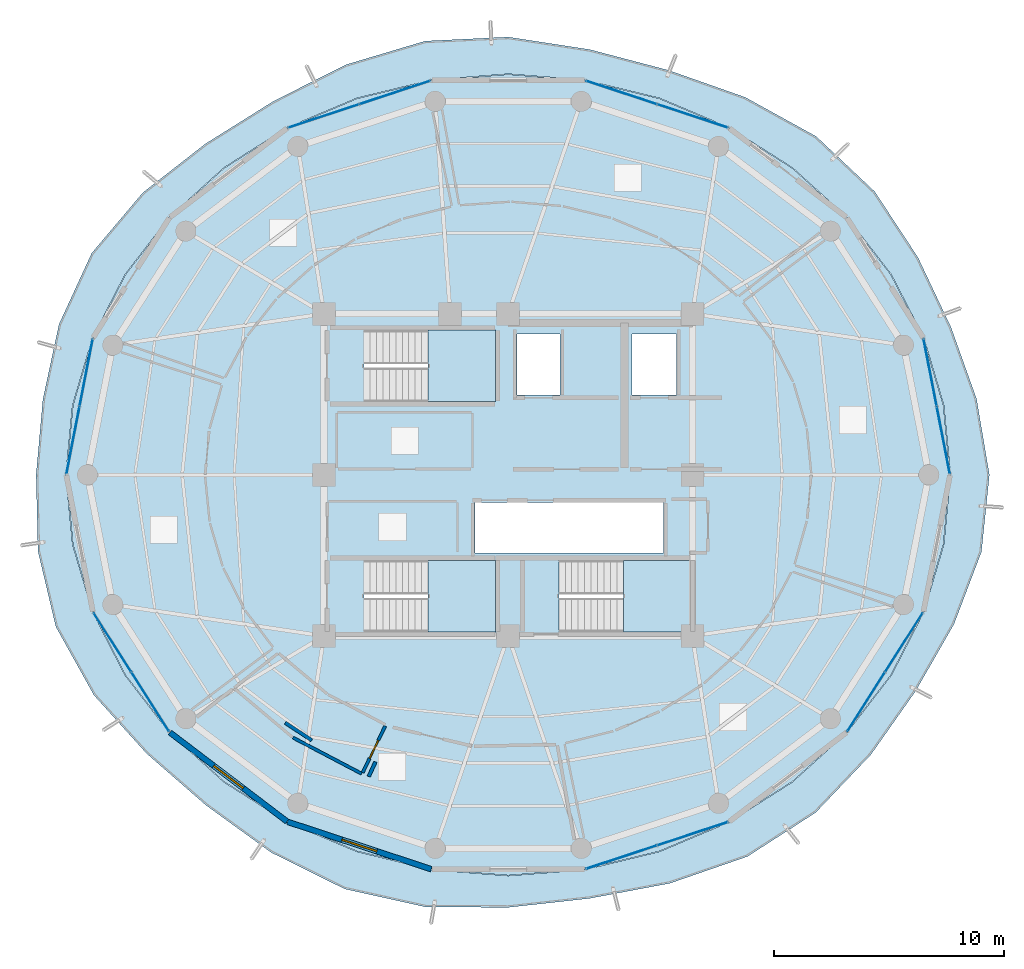
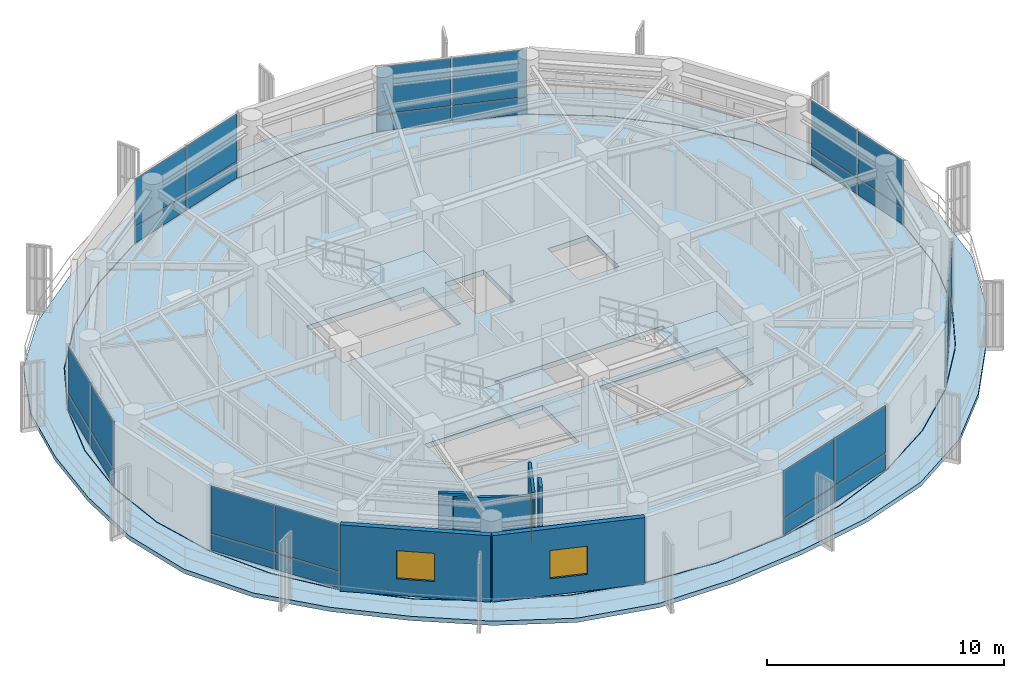
# One storey, part 15 of 23: 28 plates, 6 walls, 5 slabs, 2 windows, 1 door, 3 openings, 10 elements without a shape of their own.
"""IFC4 building model written with IfcOpenShell, lengths in metres."""

from ifc_helpers import new_model, si_unit, direction, frame, frame_2d, origin, origin_2d, place, context, subcontext, project, spatial, polyline, rectangle, outline, extrude, source, transform, mapped, material, layer, layer_set, type_object, element, fill, aggregate, save


model = new_model("IFC4")

# Units and contexts
model_context = context("Model", 3, precision=1e-05, world=origin(), true_north=direction((0.0, 1.0)))
body_context = subcontext(model_context, "Body", "Model", "MODEL_VIEW")
ifc_project = project(units=[si_unit("LENGTHUNIT", "METRE"), si_unit("AREAUNIT", "SQUARE_METRE"), si_unit("VOLUMEUNIT", "CUBIC_METRE"), si_unit("PLANEANGLEUNIT", "RADIAN"), si_unit("MASSUNIT", "GRAM", prefix="KILO")], contexts=[model_context])

# Site, building, storey
site_placement = place(None, origin())
site = spatial("IfcSite", under=ifc_project, at=site_placement, CompositionType="ELEMENT")
building_placement = place(site_placement, origin())
building = spatial("IfcBuilding", under=site, at=building_placement, Name="Kelanora Arch Commons", CompositionType="ELEMENT")
storey_placement = place(building_placement, frame((0.0, 0.0, 289.949951171875)))
storey = spatial("IfcBuildingStorey", under=building, at=storey_placement, Name="L74", CompositionType="ELEMENT", Elevation=289.949951171875)

# Stair, slab
ifc_material_1 = material(Name="Concrete C40/50", Category="concrete")
stair_type = type_object("IfcStairType", Name="STR-DL-375", PredefinedType="HALF_TURN_STAIR", material=ifc_material_1)
stair_1_placement = place(storey_placement, origin())
stair_1 = element("IfcStair", 1, at=stair_1_placement, inside=storey, type_object=stair_type, Name="L74 ST-T1", PredefinedType="HALF_TURN_STAIR")
ifc_layer_1 = layer(ifc_material_1, 0.199951171875)
ifc_layer_set_1 = layer_set([ifc_layer_1], Name="Concrete C40/50")
slab_type_1 = type_object("IfcSlabType", Name="SLB-STAIR-LND", PredefinedType="LANDING", material=ifc_layer_set_1)
slab_1_placement = place(storey_placement, frame((0.0, 0.0, 1.675048828125)))
slab_1 = element("IfcSlab", 2, at=slab_1_placement, type_object=slab_type_1, Name="ST-T1 landing 1", PredefinedType="LANDING", context=body_context, shape_type="SweptSolid", body=[
    extrude(outline(polyline([(70.52001953125, 61.179931640625), (73.43994140625, 61.179931640625), (73.43994140625, 64.2900390625), (70.52001953125, 64.2900390625), (70.52001953125, 61.179931640625)])), origin(), (0.0, 0.0, 1.0), 0.199951171875),
])
aggregate(stair_1, [slab_1])

stair_2_placement = place(storey_placement, origin())
stair_2 = element("IfcStair", 3, at=stair_2_placement, inside=storey, type_object=stair_type, Name="L74 ST-T2", PredefinedType="HALF_TURN_STAIR")
slab_2_placement = place(storey_placement, frame((0.0, 0.0, 1.675048828125)))
slab_2 = element("IfcSlab", 4, at=slab_2_placement, type_object=slab_type_1, Name="ST-T2 landing 1", PredefinedType="LANDING", context=body_context, shape_type="SweptSolid", body=[
    extrude(outline(polyline([(79.0, 51.179931640625), (81.919921875, 51.179931640625), (81.919921875, 54.2900390625), (79.0, 54.2900390625), (79.0, 51.179931640625)])), origin(), (0.0, 0.0, 1.0), 0.199951171875),
])
aggregate(stair_2, [slab_2])

stair_3_placement = place(storey_placement, origin())
stair_3 = element("IfcStair", 5, at=stair_3_placement, inside=storey, type_object=stair_type, Name="L74 ST-T3", PredefinedType="HALF_TURN_STAIR")
slab_3_placement = place(storey_placement, frame((0.0, 0.0, 1.675048828125)))
slab_3 = element("IfcSlab", 6, at=slab_3_placement, type_object=slab_type_1, Name="ST-T3 landing 1", PredefinedType="LANDING", context=body_context, shape_type="SweptSolid", body=[
    extrude(outline(polyline([(70.52001953125, 51.179931640625), (73.43994140625, 51.179931640625), (73.43994140625, 54.2900390625), (70.52001953125, 54.2900390625), (70.52001953125, 51.179931640625)])), origin(), (0.0, 0.0, 1.0), 0.199951171875),
])
aggregate(stair_3, [slab_3])

# Slabs
ifc_layer_2 = layer(ifc_material_1, 0.260009765625)
ifc_layer_set_2 = layer_set([ifc_layer_2], Name="Concrete C40/50")
slab_type_2 = type_object("IfcSlabType", Name="SLB-TWR-TYP", PredefinedType="FLOOR", material=ifc_layer_set_2)
slab_4_placement = place(storey_placement, frame((0.0, 0.0, -0.260009765625)))
element("IfcSlab", 7, at=slab_4_placement, inside=storey, type_object=slab_type_2, Name="Tower Floor Slab L74", PredefinedType="FLOOR", context=body_context, shape_type="SweptSolid", body=[
    extrude(outline(polyline([(93.199951171875, 58.0), (92.908203125, 61.021484375), (92.0419921875, 63.951171875), (90.627685546875, 66.699951171875), (88.7080078125, 69.1845703125), (86.341552734375, 71.3291015625), (83.60009765625, 73.06884765625), (80.56689453125, 74.3505859375), (77.333984375, 75.1357421875), (74.0, 75.39990234375), (70.666015625, 75.1357421875), (67.43310546875, 74.3505859375), (64.39990234375, 73.06884765625), (61.658447265625, 71.3291015625), (59.2919921875, 69.1845703125), (57.372314453125, 66.699951171875), (55.9580078125, 63.951171875), (55.091796875, 61.021484375), (54.800048828125, 58.0), (55.091796875, 54.978515625), (55.9580078125, 52.048828125), (57.372314453125, 49.300048828125), (59.2919921875, 46.8154296875), (61.658447265625, 44.6708984375), (64.39990234375, 42.93115234375), (67.43310546875, 41.6494140625), (70.666015625, 40.8642578125), (74.0, 40.60009765625), (77.333984375, 40.8642578125), (80.56689453125, 41.6494140625), (83.60009765625, 42.93115234375), (86.341552734375, 44.6708984375), (88.7080078125, 46.8154296875), (90.627685546875, 49.300048828125), (92.0419921875, 52.048828125), (92.908203125, 54.978515625), (93.199951171875, 58.0)]), holes=[polyline([(73.431884765625, 51.18798828125), (67.72802734375, 51.18798828125), (67.72802734375, 54.281982421875), (73.431884765625, 54.281982421875), (73.431884765625, 51.18798828125)]), polyline([(76.2080078125, 51.18798828125), (76.2080078125, 54.281982421875), (81.912109375, 54.281982421875), (81.912109375, 51.18798828125), (76.2080078125, 51.18798828125)]), polyline([(72.550048828125, 54.60009765625), (72.550048828125, 56.800048828125), (80.75, 56.800048828125), (80.75, 54.60009765625), (72.550048828125, 54.60009765625)]), polyline([(73.431884765625, 61.18798828125), (67.72802734375, 61.18798828125), (67.72802734375, 64.281982421875), (73.431884765625, 64.281982421875), (73.431884765625, 61.18798828125)]), polyline([(74.3798828125, 61.47998046875), (74.3798828125, 64.1201171875), (76.260009765625, 64.1201171875), (76.260009765625, 61.47998046875), (74.3798828125, 61.47998046875)]), polyline([(79.3798828125, 61.47998046875), (79.3798828125, 64.1201171875), (81.320068359375, 64.1201171875), (81.320068359375, 61.47998046875), (79.3798828125, 61.47998046875)])]), origin(), (0.0, 0.0, 1.0), 0.260009765625),
])
ifc_layer_3 = layer(ifc_material_1, 0.219970703125)
ifc_layer_set_3 = layer_set([ifc_layer_3], Name="Concrete C40/50")
slab_type_3 = type_object("IfcSlabType", Name="SLB-WAVE-BAL", PredefinedType="FLOOR", material=ifc_layer_set_3)
slab_5_placement = place(storey_placement, frame((0.0, 0.0, -0.219970703125)))
element("IfcSlab", 8, at=slab_5_placement, inside=storey, type_object=slab_type_3, Name="Sinusoidal Wave Balcony Slab L74", PredefinedType="FLOOR", context=body_context, shape_type="SweptSolid", body=[
    extrude(outline(polyline([(94.907470703125, 58.0), (94.349609375, 61.302001953125), (93.231689453125, 64.428955078125), (91.802734375, 67.448486328125), (89.92333984375, 70.309814453125), (87.38525390625, 72.701904296875), (84.29931640625, 74.4052734375), (80.9716796875, 75.577880859375), (77.548583984375, 76.47900390625), (74.0, 77.023193359375), (70.39208984375, 76.848876953125), (66.9482421875, 75.821044921875), (63.793212890625, 74.228759765625), (60.85205078125, 72.3896484375), (58.12744140625, 70.2626953125), (55.90625, 67.634033203125), (54.485107421875, 64.54248046875), (53.7841796875, 61.27587890625), (53.490966796875, 58.0), (53.572021484375, 54.682861328125), (54.347900390625, 51.40234375), (56.003173828125, 48.427734375), (58.293701171875, 45.89111328125), (60.876220703125, 43.64208984375), (63.70068359375, 41.5947265625), (66.89306640625, 40.01171875), (70.404541015625, 39.22900390625), (74.0, 39.206787109375), (77.536376953125, 39.5986328125), (81.02685546875, 40.2548828125), (84.3916015625, 41.418212890625), (87.361083984375, 43.330078125), (89.757080078125, 45.84423828125), (91.705810546875, 48.613037109375), (93.368896484375, 51.51611328125), (94.561767578125, 54.65673828125), (94.907470703125, 58.0)]), holes=[polyline([(92.927978515625, 54.97509765625), (92.060791015625, 52.0419921875), (90.64501953125, 49.2900390625), (88.723388671875, 46.802490234375), (86.3544921875, 44.655517578125), (83.610107421875, 42.913818359375), (80.573486328125, 41.630615234375), (77.33740234375, 40.844482421875), (74.0, 40.580078125), (70.66259765625, 40.844482421875), (67.426513671875, 41.630615234375), (64.389892578125, 42.913818359375), (61.6455078125, 44.655517578125), (59.276611328125, 46.802490234375), (57.35498046875, 49.2900390625), (55.939208984375, 52.0419921875), (55.072021484375, 54.97509765625), (54.780029296875, 58.0), (55.072021484375, 61.02490234375), (55.939208984375, 63.9580078125), (57.35498046875, 66.7099609375), (59.276611328125, 69.197509765625), (61.6455078125, 71.344482421875), (64.389892578125, 73.086181640625), (67.426513671875, 74.369384765625), (70.66259765625, 75.155517578125), (74.0, 75.419921875), (77.33740234375, 75.155517578125), (80.573486328125, 74.369384765625), (83.610107421875, 73.086181640625), (86.3544921875, 71.344482421875), (88.723388671875, 69.197509765625), (90.64501953125, 66.7099609375), (92.060791015625, 63.9580078125), (92.927978515625, 61.02490234375), (93.219970703125, 58.0), (92.927978515625, 54.97509765625)])]), origin(), (0.0, 0.0, 1.0), 0.219970703125),
])

# Curtain wall, plates
ifc_material_2 = material(Name="Terracotta ceramic-fritted low-E glass and aluminium", Category="masonry")
ifc_layer_4 = layer(ifc_material_2, 0.18994140625)
ifc_layer_set_4 = layer_set([ifc_layer_4], Name="Terracotta ceramic-fritted low-E glass and aluminium")
curtain_wall_type = type_object("IfcCurtainWallType", Name="CW-SYS-03", PredefinedType="NOTDEFINED", material=ifc_layer_set_4)
curtain_wall_1_placement = place(storey_placement, origin())
curtain_wall_1 = element("IfcCurtainWall", 9, at=curtain_wall_1_placement, inside=storey, type_object=curtain_wall_type, Name="Unitised Curtain Wall L74-B00", PredefinedType="NOTDEFINED")
ifc_material_3 = material(Name="Terracotta ceramic-fritted double glazing", Category="masonry")
ifc_layer_5 = layer(ifc_material_3, 0.028076171875)
ifc_layer_set_5 = layer_set([ifc_layer_5], Name="Terracotta ceramic-fritted double glazing")
plate_type = type_object("IfcPlateType", Name="CWP-FRIT", PredefinedType="CURTAIN_PANEL", material=ifc_layer_set_5)
shared_shape_1 = source(origin(), body_context, "Body", "SweptSolid", [
    extrude(rectangle(XDim=2.926513671875, YDim=0.028076171875, at=origin_2d()), origin(), (0.0, 0.0, 1.0), 0.81005859375),
])
plate_1_placement = place(storey_placement, frame((92.90625, 59.509765625, 0.06005859375), z_axis=(0.0, 0.0, 1.0), x_axis=(-0.190971701941, 0.981595542501, 0.0)))
plate_1 = element("IfcPlate", 10, at=plate_1_placement, type_object=plate_type, Name="CW-03 panel 1.1", PredefinedType="CURTAIN_PANEL", context=body_context, shape_type="MappedRepresentation", body=[
    mapped(shared_shape_1, transform((0.0, 0.0, 0.0), scale=1.0)),
])
plate_2_placement = place(storey_placement, frame((92.3359375, 62.44140625, 0.06005859375), z_axis=(0.0, 0.0, 1.0), x_axis=(-0.190971701941, 0.981595542501, 0.0)))
plate_2 = element("IfcPlate", 11, at=plate_2_placement, type_object=plate_type, Name="CW-03 panel 2.1", PredefinedType="CURTAIN_PANEL", context=body_context, shape_type="MappedRepresentation", body=[
    mapped(shared_shape_1, transform((0.0, 0.0, 0.0), scale=1.0)),
])

curtain_wall_2_placement = place(storey_placement, origin())
curtain_wall_2 = element("IfcCurtainWall", 12, at=curtain_wall_2_placement, inside=storey, type_object=curtain_wall_type, Name="Unitised Curtain Wall L74-B08", PredefinedType="NOTDEFINED")
plate_3_placement = place(storey_placement, frame((55.6640625, 62.44140625, 0.06005859375), z_axis=(0.0, 0.0, 1.0), x_axis=(-0.190971701941, -0.981595542501, 0.0)))
plate_3 = element("IfcPlate", 13, at=plate_3_placement, type_object=plate_type, Name="CW-03 panel 1.1", PredefinedType="CURTAIN_PANEL", context=body_context, shape_type="MappedRepresentation", body=[
    mapped(shared_shape_1, transform((0.0, 0.0, 0.0), scale=1.0)),
])
plate_4_placement = place(storey_placement, frame((55.09375, 59.509765625, 0.06005859375), z_axis=(0.0, 0.0, 1.0), x_axis=(-0.190971701941, -0.981595542501, 0.0)))
plate_4 = element("IfcPlate", 14, at=plate_4_placement, type_object=plate_type, Name="CW-03 panel 2.1", PredefinedType="CURTAIN_PANEL", context=body_context, shape_type="MappedRepresentation", body=[
    mapped(shared_shape_1, transform((0.0, 0.0, 0.0), scale=1.0)),
])

curtain_wall_3_placement = place(storey_placement, origin())
curtain_wall_3 = element("IfcCurtainWall", 15, at=curtain_wall_3_placement, inside=storey, type_object=curtain_wall_type, Name="Unitised Curtain Wall L74-B03", PredefinedType="NOTDEFINED")
shared_shape_2 = source(origin(), body_context, "Body", "SweptSolid", [
    extrude(rectangle(XDim=3.194091796875, YDim=0.028076171875, at=origin_2d()), origin(), (0.0, 0.0, 1.0), 0.81005859375),
])
plate_5_placement = place(storey_placement, frame((82.01220703125, 73.592529296875, 0.06005859375), z_axis=(0.0, 0.0, 1.0), x_axis=(-0.949669780752, 0.313252785344, 0.0)))
plate_5 = element("IfcPlate", 16, at=plate_5_placement, type_object=plate_type, Name="CW-03 panel 1.1", PredefinedType="CURTAIN_PANEL", context=body_context, shape_type="MappedRepresentation", body=[
    mapped(shared_shape_2, transform((0.0, 0.0, 0.0), scale=1.0)),
])
plate_6_placement = place(storey_placement, frame((78.921875, 74.61181640625, 0.06005859375), z_axis=(0.0, 0.0, 1.0), x_axis=(-0.949669780752, 0.313252785344, 0.0)))
plate_6 = element("IfcPlate", 17, at=plate_6_placement, type_object=plate_type, Name="CW-03 panel 2.1", PredefinedType="CURTAIN_PANEL", context=body_context, shape_type="MappedRepresentation", body=[
    mapped(shared_shape_2, transform((0.0, 0.0, 0.0), scale=1.0)),
])

curtain_wall_4_placement = place(storey_placement, origin())
curtain_wall_4 = element("IfcCurtainWall", 18, at=curtain_wall_4_placement, inside=storey, type_object=curtain_wall_type, Name="Unitised Curtain Wall L74-B05", PredefinedType="NOTDEFINED")
plate_7_placement = place(storey_placement, frame((69.078125, 74.61181640625, 0.06005859375), z_axis=(0.0, 0.0, 1.0), x_axis=(-0.949669780752, -0.313252785344, 0.0)))
plate_7 = element("IfcPlate", 19, at=plate_7_placement, type_object=plate_type, Name="CW-03 panel 1.1", PredefinedType="CURTAIN_PANEL", context=body_context, shape_type="MappedRepresentation", body=[
    mapped(shared_shape_2, transform((0.0, 0.0, 0.0), scale=1.0)),
])
plate_8_placement = place(storey_placement, frame((65.98779296875, 73.592529296875, 0.06005859375), z_axis=(0.0, 0.0, 1.0), x_axis=(-0.949669780752, -0.313252785344, 0.0)))
plate_8 = element("IfcPlate", 20, at=plate_8_placement, type_object=plate_type, Name="CW-03 panel 2.1", PredefinedType="CURTAIN_PANEL", context=body_context, shape_type="MappedRepresentation", body=[
    mapped(shared_shape_2, transform((0.0, 0.0, 0.0), scale=1.0)),
])

curtain_wall_5_placement = place(storey_placement, origin())
curtain_wall_5 = element("IfcCurtainWall", 21, at=curtain_wall_5_placement, inside=storey, type_object=curtain_wall_type, Name="Unitised Curtain Wall L74-B14", PredefinedType="NOTDEFINED")
plate_9_placement = place(storey_placement, frame((78.921875, 41.38818359375, 0.06005859375), z_axis=(0.0, 0.0, 1.0), x_axis=(0.949669780752, 0.313252785344, 0.0)))
plate_9 = element("IfcPlate", 22, at=plate_9_placement, type_object=plate_type, Name="CW-03 panel 1.1", PredefinedType="CURTAIN_PANEL", context=body_context, shape_type="MappedRepresentation", body=[
    mapped(shared_shape_2, transform((0.0, 0.0, 0.0), scale=1.0)),
])
plate_10_placement = place(storey_placement, frame((82.01220703125, 42.407470703125, 0.06005859375), z_axis=(0.0, 0.0, 1.0), x_axis=(0.949669780752, 0.313252785344, 0.0)))
plate_10 = element("IfcPlate", 23, at=plate_10_placement, type_object=plate_type, Name="CW-03 panel 2.1", PredefinedType="CURTAIN_PANEL", context=body_context, shape_type="MappedRepresentation", body=[
    mapped(shared_shape_2, transform((0.0, 0.0, 0.0), scale=1.0)),
])

curtain_wall_6_placement = place(storey_placement, origin())
curtain_wall_6 = element("IfcCurtainWall", 24, at=curtain_wall_6_placement, inside=storey, type_object=curtain_wall_type, Name="Unitised Curtain Wall L74-B10", PredefinedType="NOTDEFINED")
shared_shape_3 = source(origin(), body_context, "Body", "SweptSolid", [
    extrude(rectangle(XDim=2.99755859375, YDim=0.028076171875, at=origin_2d()), origin(), (0.0, 0.0, 1.0), 0.81005859375),
])
plate_11_placement = place(storey_placement, frame((56.803466796875, 50.721435546875, 0.06005859375), z_axis=(0.0, 0.0, 1.0), x_axis=(0.537299814397, -0.843391314545, 0.0)))
plate_11 = element("IfcPlate", 25, at=plate_11_placement, type_object=plate_type, Name="CW-03 panel 1.1", PredefinedType="CURTAIN_PANEL", context=body_context, shape_type="MappedRepresentation", body=[
    mapped(shared_shape_3, transform((0.0, 0.0, 0.0), scale=1.0)),
])
plate_12_placement = place(storey_placement, frame((58.4462890625, 48.142822265625, 0.06005859375), z_axis=(0.0, 0.0, 1.0), x_axis=(0.537299814397, -0.843391314545, 0.0)))
plate_12 = element("IfcPlate", 26, at=plate_12_placement, type_object=plate_type, Name="CW-03 panel 2.1", PredefinedType="CURTAIN_PANEL", context=body_context, shape_type="MappedRepresentation", body=[
    mapped(shared_shape_3, transform((0.0, 0.0, 0.0), scale=1.0)),
])

curtain_wall_7_placement = place(storey_placement, origin())
curtain_wall_7 = element("IfcCurtainWall", 27, at=curtain_wall_7_placement, inside=storey, type_object=curtain_wall_type, Name="Unitised Curtain Wall L74-B16", PredefinedType="NOTDEFINED")
plate_13_placement = place(storey_placement, frame((89.5537109375, 48.142822265625, 0.06005859375), z_axis=(0.0, 0.0, 1.0), x_axis=(0.537299814397, 0.843391314545, 0.0)))
plate_13 = element("IfcPlate", 28, at=plate_13_placement, type_object=plate_type, Name="CW-03 panel 1.1", PredefinedType="CURTAIN_PANEL", context=body_context, shape_type="MappedRepresentation", body=[
    mapped(shared_shape_3, transform((0.0, 0.0, 0.0), scale=1.0)),
])
plate_14_placement = place(storey_placement, frame((91.196533203125, 50.721435546875, 0.06005859375), z_axis=(0.0, 0.0, 1.0), x_axis=(0.537299814397, 0.843391314545, 0.0)))
plate_14 = element("IfcPlate", 29, at=plate_14_placement, type_object=plate_type, Name="CW-03 panel 2.1", PredefinedType="CURTAIN_PANEL", context=body_context, shape_type="MappedRepresentation", body=[
    mapped(shared_shape_3, transform((0.0, 0.0, 0.0), scale=1.0)),
])

# Plate
shared_shape_4 = source(origin(), body_context, "Body", "SweptSolid", [
    extrude(rectangle(XDim=2.926513671875, YDim=0.028076171875, at=origin_2d()), origin(), (0.0, 0.0, 1.0), 2.425048828125),
])
plate_15_placement = place(storey_placement, frame((92.90625, 59.509765625, 0.93017578125), z_axis=(0.0, 0.0, 1.0), x_axis=(-0.190971701941, 0.981595542501, 0.0)))
plate_15 = element("IfcPlate", 30, at=plate_15_placement, type_object=plate_type, Name="CW-03 panel 1.2", PredefinedType="CURTAIN_PANEL", context=body_context, shape_type="MappedRepresentation", body=[
    mapped(shared_shape_4, transform((0.0, 0.0, 0.0), scale=1.0)),
])

plate_16_placement = place(storey_placement, frame((92.3359375, 62.44140625, 0.93017578125), z_axis=(0.0, 0.0, 1.0), x_axis=(-0.190971701941, 0.981595542501, 0.0)))
plate_16 = element("IfcPlate", 31, at=plate_16_placement, type_object=plate_type, Name="CW-03 panel 2.2", PredefinedType="CURTAIN_PANEL", context=body_context, shape_type="MappedRepresentation", body=[
    mapped(shared_shape_4, transform((0.0, 0.0, 0.0), scale=1.0)),
])

aggregate(curtain_wall_1, [plate_1, plate_15, plate_2, plate_16])

plate_17_placement = place(storey_placement, frame((55.6640625, 62.44140625, 0.93017578125), z_axis=(0.0, 0.0, 1.0), x_axis=(-0.190971701941, -0.981595542501, 0.0)))
plate_17 = element("IfcPlate", 32, at=plate_17_placement, type_object=plate_type, Name="CW-03 panel 1.2", PredefinedType="CURTAIN_PANEL", context=body_context, shape_type="MappedRepresentation", body=[
    mapped(shared_shape_4, transform((0.0, 0.0, 0.0), scale=1.0)),
])

plate_18_placement = place(storey_placement, frame((55.09375, 59.509765625, 0.93017578125), z_axis=(0.0, 0.0, 1.0), x_axis=(-0.190971701941, -0.981595542501, 0.0)))
plate_18 = element("IfcPlate", 33, at=plate_18_placement, type_object=plate_type, Name="CW-03 panel 2.2", PredefinedType="CURTAIN_PANEL", context=body_context, shape_type="MappedRepresentation", body=[
    mapped(shared_shape_4, transform((0.0, 0.0, 0.0), scale=1.0)),
])

aggregate(curtain_wall_2, [plate_3, plate_17, plate_4, plate_18])

shared_shape_5 = source(origin(), body_context, "Body", "SweptSolid", [
    extrude(rectangle(XDim=3.194091796875, YDim=0.028076171875, at=origin_2d()), origin(), (0.0, 0.0, 1.0), 2.425048828125),
])
plate_19_placement = place(storey_placement, frame((82.01220703125, 73.592529296875, 0.93017578125), z_axis=(0.0, 0.0, 1.0), x_axis=(-0.949669780752, 0.313252785344, 0.0)))
plate_19 = element("IfcPlate", 34, at=plate_19_placement, type_object=plate_type, Name="CW-03 panel 1.2", PredefinedType="CURTAIN_PANEL", context=body_context, shape_type="MappedRepresentation", body=[
    mapped(shared_shape_5, transform((0.0, 0.0, 0.0), scale=1.0)),
])

plate_20_placement = place(storey_placement, frame((78.921875, 74.61181640625, 0.93017578125), z_axis=(0.0, 0.0, 1.0), x_axis=(-0.949669780752, 0.313252785344, 0.0)))
plate_20 = element("IfcPlate", 35, at=plate_20_placement, type_object=plate_type, Name="CW-03 panel 2.2", PredefinedType="CURTAIN_PANEL", context=body_context, shape_type="MappedRepresentation", body=[
    mapped(shared_shape_5, transform((0.0, 0.0, 0.0), scale=1.0)),
])

aggregate(curtain_wall_3, [plate_5, plate_19, plate_6, plate_20])

plate_21_placement = place(storey_placement, frame((69.078125, 74.61181640625, 0.93017578125), z_axis=(0.0, 0.0, 1.0), x_axis=(-0.949669780752, -0.313252785344, 0.0)))
plate_21 = element("IfcPlate", 36, at=plate_21_placement, type_object=plate_type, Name="CW-03 panel 1.2", PredefinedType="CURTAIN_PANEL", context=body_context, shape_type="MappedRepresentation", body=[
    mapped(shared_shape_5, transform((0.0, 0.0, 0.0), scale=1.0)),
])

plate_22_placement = place(storey_placement, frame((65.98779296875, 73.592529296875, 0.93017578125), z_axis=(0.0, 0.0, 1.0), x_axis=(-0.949669780752, -0.313252785344, 0.0)))
plate_22 = element("IfcPlate", 37, at=plate_22_placement, type_object=plate_type, Name="CW-03 panel 2.2", PredefinedType="CURTAIN_PANEL", context=body_context, shape_type="MappedRepresentation", body=[
    mapped(shared_shape_5, transform((0.0, 0.0, 0.0), scale=1.0)),
])

aggregate(curtain_wall_4, [plate_7, plate_21, plate_8, plate_22])

plate_23_placement = place(storey_placement, frame((78.921875, 41.38818359375, 0.93017578125), z_axis=(0.0, 0.0, 1.0), x_axis=(0.949669780752, 0.313252785344, 0.0)))
plate_23 = element("IfcPlate", 38, at=plate_23_placement, type_object=plate_type, Name="CW-03 panel 1.2", PredefinedType="CURTAIN_PANEL", context=body_context, shape_type="MappedRepresentation", body=[
    mapped(shared_shape_5, transform((0.0, 0.0, 0.0), scale=1.0)),
])

plate_24_placement = place(storey_placement, frame((82.01220703125, 42.407470703125, 0.93017578125), z_axis=(0.0, 0.0, 1.0), x_axis=(0.949669780752, 0.313252785344, 0.0)))
plate_24 = element("IfcPlate", 39, at=plate_24_placement, type_object=plate_type, Name="CW-03 panel 2.2", PredefinedType="CURTAIN_PANEL", context=body_context, shape_type="MappedRepresentation", body=[
    mapped(shared_shape_5, transform((0.0, 0.0, 0.0), scale=1.0)),
])

aggregate(curtain_wall_5, [plate_9, plate_23, plate_10, plate_24])

shared_shape_6 = source(origin(), body_context, "Body", "SweptSolid", [
    extrude(rectangle(XDim=2.99755859375, YDim=0.028076171875, at=origin_2d()), origin(), (0.0, 0.0, 1.0), 2.425048828125),
])
plate_25_placement = place(storey_placement, frame((56.803466796875, 50.721435546875, 0.93017578125), z_axis=(0.0, 0.0, 1.0), x_axis=(0.537299814397, -0.843391314545, 0.0)))
plate_25 = element("IfcPlate", 40, at=plate_25_placement, type_object=plate_type, Name="CW-03 panel 1.2", PredefinedType="CURTAIN_PANEL", context=body_context, shape_type="MappedRepresentation", body=[
    mapped(shared_shape_6, transform((0.0, 0.0, 0.0), scale=1.0)),
])

plate_26_placement = place(storey_placement, frame((58.4462890625, 48.142822265625, 0.93017578125), z_axis=(0.0, 0.0, 1.0), x_axis=(0.537299814397, -0.843391314545, 0.0)))
plate_26 = element("IfcPlate", 41, at=plate_26_placement, type_object=plate_type, Name="CW-03 panel 2.2", PredefinedType="CURTAIN_PANEL", context=body_context, shape_type="MappedRepresentation", body=[
    mapped(shared_shape_6, transform((0.0, 0.0, 0.0), scale=1.0)),
])

aggregate(curtain_wall_6, [plate_11, plate_25, plate_12, plate_26])

plate_27_placement = place(storey_placement, frame((89.5537109375, 48.142822265625, 0.93017578125), z_axis=(0.0, 0.0, 1.0), x_axis=(0.537299814397, 0.843391314545, 0.0)))
plate_27 = element("IfcPlate", 42, at=plate_27_placement, type_object=plate_type, Name="CW-03 panel 1.2", PredefinedType="CURTAIN_PANEL", context=body_context, shape_type="MappedRepresentation", body=[
    mapped(shared_shape_6, transform((0.0, 0.0, 0.0), scale=1.0)),
])

plate_28_placement = place(storey_placement, frame((91.196533203125, 50.721435546875, 0.93017578125), z_axis=(0.0, 0.0, 1.0), x_axis=(0.537299814397, 0.843391314545, 0.0)))
plate_28 = element("IfcPlate", 43, at=plate_28_placement, type_object=plate_type, Name="CW-03 panel 2.2", PredefinedType="CURTAIN_PANEL", context=body_context, shape_type="MappedRepresentation", body=[
    mapped(shared_shape_6, transform((0.0, 0.0, 0.0), scale=1.0)),
])

aggregate(curtain_wall_7, [plate_13, plate_27, plate_14, plate_28])

# Walls
ifc_material_4 = material(Name="Autoclaved aerated concrete blockwork with fire plaster", Category="masonry")
ifc_layer_6 = layer(ifc_material_4, 0.14990234375)
ifc_layer_set_6 = layer_set([ifc_layer_6], Name="Autoclaved aerated concrete blockwork with fire plaster")
wall_type_1 = type_object("IfcWallType", Name="W-COMP-150", PredefinedType="PARTITIONING", material=ifc_layer_set_6)
wall_1_placement = place(storey_placement, frame((64.31396484375, 47.227783203125, 0.0), z_axis=(0.0, 0.0, 1.0), x_axis=(0.836108744157, -0.54856373189, 0.0)))
element("IfcWall", 44, at=wall_1_placement, inside=storey, type_object=wall_type_1, Name="Co-Living Studio L74-03 Enclosure Partition 7", PredefinedType="PARTITIONING", context=body_context, shape_type="SweptSolid", body=[
    extrude(rectangle(XDim=1.380615234375, YDim=0.14990234375, at=frame_2d((0.6904296875, 0.0))), origin(), (0.0, 0.0, 1.0), 3.01513671875),
])
wall_2_placement = place(storey_placement, frame((67.942626953125, 44.894287109375, 0.0), z_axis=(0.0, 0.0, 1.0), x_axis=(0.415116627058, 0.909768204511, 0.0)))
element("IfcWall", 45, at=wall_2_placement, inside=storey, type_object=wall_type_1, Name="Co-Living Studio L74-03 Enclosure Partition 8", PredefinedType="PARTITIONING", context=body_context, shape_type="SweptSolid", body=[
    extrude(rectangle(XDim=0.699951171875, YDim=0.14990234375, at=frame_2d((0.35009765625, 0.0))), origin(), (0.0, 0.0, 1.0), 3.420166015625),
])

# Wall, opening, window
ifc_material_5 = material(Name="Precast concrete C40/50 upper-zone terracotta rainscreen", Category="masonry")
ifc_layer_7 = layer(ifc_material_5, 0.239990234375)
ifc_layer_set_7 = layer_set([ifc_layer_7], Name="Precast concrete C40/50 upper-zone terracotta rainscreen")
wall_type_2 = type_object("IfcWallType", Name="W-EXT-TC2", PredefinedType="SOLIDWALL", material=ifc_layer_set_7)
wall_3_placement = place(storey_placement, frame((59.3037109375, 46.806396484375, 0.0), z_axis=(0.0, 0.0, 1.0), x_axis=(0.796010444211, -0.605282886514, 0.0)))
wall_3 = element("IfcWall", 46, at=wall_3_placement, inside=storey, type_object=wall_type_2, Name="Terracotta Exterior Wall L74-B11", PredefinedType="SOLIDWALL", context=body_context, shape_type="SweptSolid", body=[
    extrude(rectangle(XDim=6.387451171875, YDim=0.239990234375, at=frame_2d((3.19384765625, 0.0))), origin(), (0.0, 0.0, 1.0), 3.4150390625),
])
opening_1_placement = place(wall_3_placement, frame((2.39404296875, 0.0, 0.85009765625)))
opening_1 = element("IfcOpeningElement", 47, at=opening_1_placement, cuts=wall_3, Name="Opening WN-01", PredefinedType="OPENING", context=body_context, shape_type="SweptSolid", body=[
    extrude(rectangle(XDim=1.60009765625, YDim=1.449951171875, at=frame_2d((0.800048828125, 0.72509765625))), frame((0.0, 0.1298828125, 0.0), z_axis=(0.0, -1.0, 0.0), x_axis=(1.0, 0.0, 0.0)), (0.0, 0.0, 1.0), 0.260009765625),
])
ifc_material_6 = material(Name="Terracotta-anodised aluminium frame with operable low-E glazing", Category="masonry")
window_type = type_object("IfcWindowType", Name="WIN-CL-18", PartitioningType="DOUBLE_PANEL_VERTICAL", PredefinedType="WINDOW", material=ifc_material_6)
window_1_placement = place(opening_1_placement, origin())
window_1 = element("IfcWindow", 48, at=window_1_placement, inside=storey, type_object=window_type, Name="Co-Living Operable Window L74-B11", OverallHeight=1.449951171875, OverallWidth=1.60009765625, PartitioningType="SINGLE_PANEL", PredefinedType="WINDOW", context=body_context, shape_type="SweptSolid", body=[
    extrude(rectangle(XDim=1.60009765625, YDim=1.449951171875, at=frame_2d((0.800048828125, 0.72509765625))), frame((0.0, 0.030029296875, 0.0), z_axis=(0.0, -1.0, 0.0), x_axis=(1.0, 0.0, 0.0)), (0.0, 0.0, 1.0), 0.06005859375),
])
fill(opening_1, window_1)

wall_4_placement = place(storey_placement, frame((64.414306640625, 42.926513671875, 0.0), z_axis=(0.0, 0.0, 1.0), x_axis=(0.949663708393, -0.313271193954, 0.0)))
wall_4 = element("IfcWall", 49, at=wall_4_placement, inside=storey, type_object=wall_type_2, Name="Terracotta Exterior Wall L74-B12", PredefinedType="SOLIDWALL", context=body_context, shape_type="SweptSolid", body=[
    extrude(rectangle(XDim=6.568115234375, YDim=0.239990234375, at=frame_2d((3.2841796875, 0.0))), origin(), (0.0, 0.0, 1.0), 3.4150390625),
])
opening_2_placement = place(wall_4_placement, frame((2.48388671875, 0.0, 0.85009765625)))
opening_2 = element("IfcOpeningElement", 50, at=opening_2_placement, cuts=wall_4, Name="Opening WN-01", PredefinedType="OPENING", context=body_context, shape_type="SweptSolid", body=[
    extrude(rectangle(XDim=1.60009765625, YDim=1.449951171875, at=frame_2d((0.800048828125, 0.72509765625))), frame((0.0, 0.1298828125, 0.0), z_axis=(0.0, -1.0, 0.0), x_axis=(1.0, 0.0, 0.0)), (0.0, 0.0, 1.0), 0.260009765625),
])
window_2_placement = place(opening_2_placement, origin())
window_2 = element("IfcWindow", 51, at=window_2_placement, inside=storey, type_object=window_type, Name="Co-Living Operable Window L74-B12", OverallHeight=1.449951171875, OverallWidth=1.60009765625, PartitioningType="SINGLE_PANEL", PredefinedType="WINDOW", context=body_context, shape_type="SweptSolid", body=[
    extrude(rectangle(XDim=1.60009765625, YDim=1.449951171875, at=frame_2d((0.800048828125, 0.72509765625))), frame((0.0, 0.030029296875, 0.0), z_axis=(0.0, -1.0, 0.0), x_axis=(1.0, 0.0, 0.0)), (0.0, 0.0, 1.0), 0.06005859375),
])
fill(opening_2, window_2)

# Wall, opening, door
ifc_material_7 = material(Name="Moisture-resistant fire-rated cement-board plumbing wall")
ifc_layer_8 = layer(ifc_material_7, 0.1298828125)
ifc_layer_set_8 = layer_set([ifc_layer_8], Name="Moisture-resistant fire-rated cement-board plumbing wall")
wall_type_3 = type_object("IfcWallType", Name="W-WET-120", PredefinedType="PLUMBINGWALL", material=ifc_layer_set_8)
wall_5_placement = place(storey_placement, frame((68.656005859375, 47.0869140625, 0.0), z_axis=(0.0, 0.0, 1.0), x_axis=(-0.435107089182, -0.900378709735, 0.0)))
wall_5 = element("IfcWall", 52, at=wall_5_placement, inside=storey, type_object=wall_type_3, Name="En-Suite Shower WC L74-03 Entry Partition", PredefinedType="PLUMBINGWALL", context=body_context, shape_type="SweptSolid", body=[
    extrude(rectangle(XDim=2.25, YDim=0.1298828125, at=frame_2d((1.125, 0.0))), origin(), (0.0, 0.0, 1.0), 3.114990234375),
])
opening_3_placement = place(wall_5_placement, frame((0.695068359375, 0.0, 0.0)))
opening_3 = element("IfcOpeningElement", 53, at=opening_3_placement, cuts=wall_5, Name="Opening D-BT1", PredefinedType="OPENING", context=body_context, shape_type="SweptSolid", body=[
    extrude(rectangle(XDim=0.860107421875, YDim=2.050048828125, at=frame_2d((0.43017578125, 1.02490234375))), frame((0.0, 0.074951171875, 0.0), z_axis=(0.0, -1.0, 0.0), x_axis=(1.0, 0.0, 0.0)), (0.0, 0.0, 1.0), 0.14990234375),
])
ifc_material_8 = material(Name="Moisture-sealed fire-rated accessible bathroom door")
door_type = type_object("IfcDoorType", Name="D-BATH-85", OperationType="NOTDEFINED", PredefinedType="DOOR", material=ifc_material_8)
door_placement = place(opening_3_placement, origin())
door = element("IfcDoor", 54, at=door_placement, inside=storey, type_object=door_type, Name="En-Suite Shower WC L74-03 Door", OperationType="SINGLE_SWING_LEFT", OverallHeight=2.050048828125, OverallWidth=0.860107421875, PredefinedType="DOOR", context=body_context, shape_type="SweptSolid", body=[
    extrude(rectangle(XDim=0.860107421875, YDim=2.050048828125, at=frame_2d((0.43017578125, 1.02490234375))), frame((0.0, 0.02490234375, 0.0), z_axis=(0.0, -1.0, 0.0), x_axis=(1.0, 0.0, 0.0)), (0.0, 0.0, 1.0), 0.050048828125),
])
fill(opening_3, door)

# Wall
wall_6_placement = place(storey_placement, frame((67.63330078125, 45.016357421875, 0.0), z_axis=(0.0, 0.0, 1.0), x_axis=(-0.885210583291, 0.465190523581, 0.0)))
element("IfcWall", 55, at=wall_6_placement, inside=storey, type_object=wall_type_3, Name="En-Suite Shower WC L74-03 Enclosure Partition 4", PredefinedType="PLUMBINGWALL", context=body_context, shape_type="SweptSolid", body=[
    extrude(rectangle(XDim=3.3671875, YDim=0.1298828125, at=frame_2d((1.68359375, 0.0))), origin(), (0.0, 0.0, 1.0), 3.01513671875),
])

save(model, "model.ifc")
